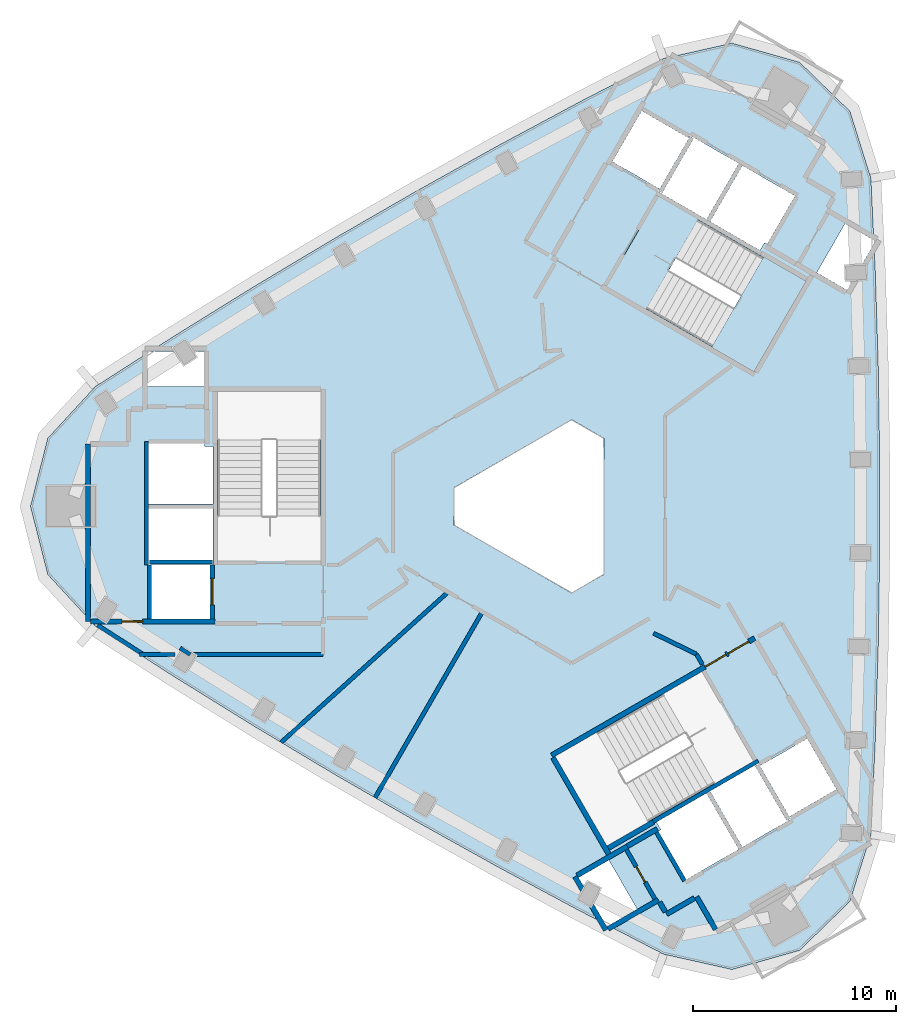
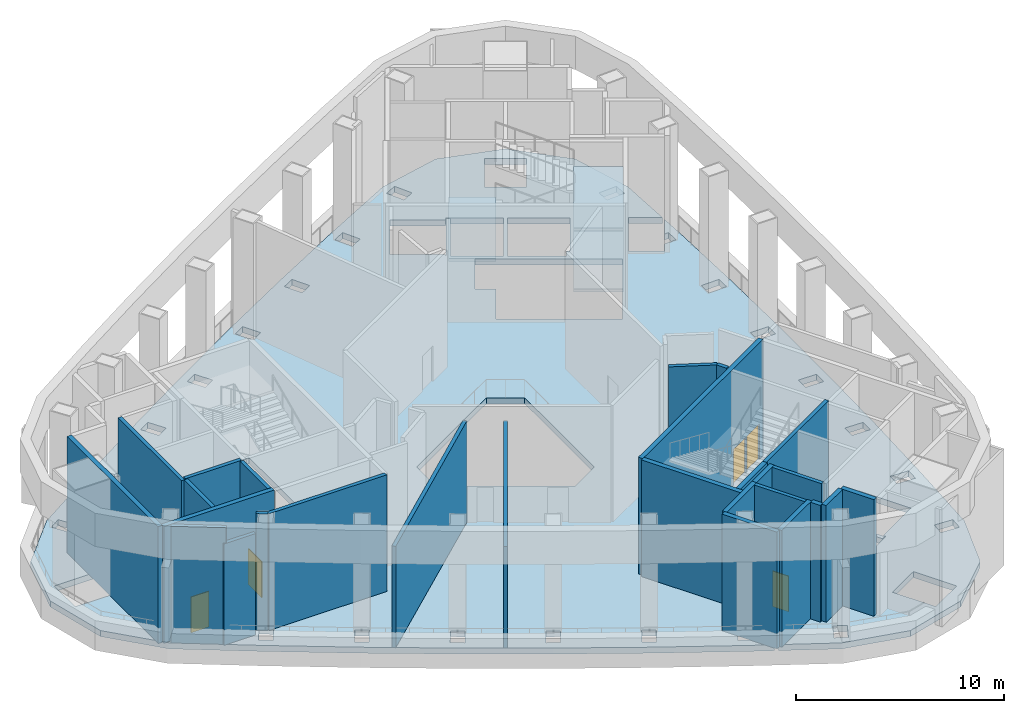
# One storey, part 2 of 8: 27 walls, 5 doors, 4 slabs, 5 openings, 1 element without a shape of its own.
"""IFC4 building model written with IfcOpenShell, lengths in metres."""

from ifc_helpers import new_model, si_unit, direction, frame, frame_2d, origin, place, context, subcontext, project, spatial, polyline, rectangle, outline, extrude, material, layer, layer_set, type_object, element, fill, aggregate, save


model = new_model("IFC4")

# Units and contexts
model_context = context("Model", 3, precision=1e-05, world=origin(), true_north=direction((0.0, 1.0)))
body_context = subcontext(model_context, "Body", "Model", "MODEL_VIEW")
ifc_project = project(units=[si_unit("LENGTHUNIT", "METRE"), si_unit("AREAUNIT", "SQUARE_METRE"), si_unit("VOLUMEUNIT", "CUBIC_METRE"), si_unit("PLANEANGLEUNIT", "RADIAN"), si_unit("MASSUNIT", "GRAM", prefix="KILO")], contexts=[model_context])

# Site, building, storey
site_placement = place(None, origin())
site = spatial("IfcSite", under=ifc_project, at=site_placement, CompositionType="ELEMENT")
building_placement = place(site_placement, origin())
building = spatial("IfcBuilding", under=site, at=building_placement, Name="Tamra Quay Hotel Tower", CompositionType="ELEMENT")
storey_placement = place(building_placement, frame((0.0, 0.0, 283.800048828125)))
storey = spatial("IfcBuildingStorey", under=building, at=storey_placement, Name="L72", CompositionType="ELEMENT", Elevation=283.800048828125)

# Stair, slabs
ifc_material_1 = material(Name="Exit stair 2200 48 risers 150.0 going 342")
stair_type = type_object("IfcStairType", Name="Exit stair 2200 48 risers 150.0 going 342", PredefinedType="HALF_TURN_STAIR", material=ifc_material_1)
stair_placement = place(storey_placement, origin())
stair = element("IfcStair", 1, at=stair_placement, inside=storey, type_object=stair_type, Name="L72 Exit stair ST1", PredefinedType="HALF_TURN_STAIR")
ifc_material_2 = material(Name="Concrete M70", Category="concrete")
ifc_layer_1 = layer(ifc_material_2, 0.175048828125)
ifc_layer_set_1 = layer_set([ifc_layer_1], Name="Concrete M70 stair landing 180")
slab_type_1 = type_object("IfcSlabType", Name="Concrete M70 stair landing 180", PredefinedType="LANDING", material=ifc_layer_set_1)
slab_1_placement = place(storey_placement, frame((0.0, 0.0, 1.625)))
slab_1 = element("IfcSlab", 2, at=slab_1_placement, type_object=slab_type_1, Name="ST1 landing 1", PredefinedType="LANDING", context=body_context, shape_type="SweptSolid", body=[
    extrude(outline(polyline([(8.291015625, 7.836669921875), (10.385009765625, 6.627685546875), (12.964599609375, 11.095458984375), (10.87060546875, 12.304443359375), (8.291015625, 7.836669921875)])), origin(), (0.0, 0.0, 1.0), 0.175048828125),
])
slab_2_placement = place(storey_placement, frame((0.0, 0.0, 3.425048828125)))
slab_2 = element("IfcSlab", 3, at=slab_2_placement, type_object=slab_type_1, Name="ST1 landing 2", PredefinedType="LANDING", context=body_context, shape_type="SweptSolid", body=[
    extrude(outline(polyline([(3.101806640625, 10.832763671875), (5.067626953125, 9.69775390625), (7.647216796875, 14.16552734375), (5.681396484375, 15.300537109375), (3.101806640625, 10.832763671875)])), origin(), (0.0, 0.0, 1.0), 0.1748046875),
])
slab_3_placement = place(storey_placement, frame((0.0, 0.0, 5.224853515625)))
slab_3 = element("IfcSlab", 4, at=slab_3_placement, type_object=slab_type_1, Name="ST1 landing 3", PredefinedType="LANDING", context=body_context, shape_type="SweptSolid", body=[
    extrude(outline(polyline([(8.291015625, 7.836669921875), (10.385009765625, 6.627685546875), (12.964599609375, 11.095458984375), (10.87060546875, 12.304443359375), (8.291015625, 7.836669921875)])), origin(), (0.0, 0.0, 1.0), 0.175048828125),
])
aggregate(stair, [slab_1, slab_2, slab_3])

# Slab
ifc_material_3 = material(Name="Concrete M60", Category="concrete")
ifc_layer_2 = layer(ifc_material_3, 0.35009765625)
ifc_layer_set_2 = layer_set([ifc_layer_2], Name="FLOOR SLAB PT 350")
slab_type_2 = type_object("IfcSlabType", Name="FLOOR SLAB PT 350", PredefinedType="FLOOR", material=ifc_layer_set_2)
slab_4_placement = place(storey_placement, frame((0.0, 0.0, -0.35009765625)))
element("IfcSlab", 5, at=slab_4_placement, inside=storey, type_object=slab_type_2, Name="SLAB-L72", PredefinedType="FLOOR", context=body_context, shape_type="SweptSolid", body=[
    extrude(outline(polyline([(-18.18798828125, 8.398681640625), (-14.259765625, 10.83349609375), (-10.29345703125, 13.206787109375), (-6.29052734375, 15.517822265625), (-2.252197265625, 17.765869140625), (1.820556640625, 19.95068359375), (5.92724609375, 22.07177734375), (9.305419921875, 22.8291015625), (12.63671875, 21.887451171875), (15.117919921875, 19.473388671875), (16.151123046875, 16.169189453125), (16.294189453125, 13.11767578125), (14.876220703125, 13.936279296875), (13.481201171875, 11.52001953125), (14.9794921875, 10.655029296875), (15.2705078125, 11.1591796875), (15.931396484375, 11.184814453125), (15.904296875, 11.88427734375), (15.68408203125, 11.875732421875), (16.302001953125, 12.946044921875), (16.367431640625, 11.552001953125), (16.511962890625, 6.9326171875), (16.583984375, 2.31103515625), (16.583984375, -2.31103515625), (16.511962890625, -6.9326171875), (16.367431640625, -11.552001953125), (16.151123046875, -16.169189453125), (15.117919921875, -19.473388671875), (12.63671875, -21.887451171875), (9.305419921875, -22.8291015625), (5.92724609375, -22.07177734375), (3.213134765625, -20.669921875), (4.631103515625, -19.851318359375), (3.236083984375, -17.43505859375), (1.73779296875, -18.300048828125), (2.02880859375, -18.80419921875), (1.720703125, -19.389404296875), (2.33984375, -19.715576171875), (2.442626953125, -19.520751953125), (3.060546875, -20.591064453125), (1.820556640625, -19.95068359375), (-2.252197265625, -17.765869140625), (-6.29052734375, -15.517822265625), (-10.29345703125, -13.206787109375), (-14.259765625, -10.83349609375), (-18.18798828125, -8.398681640625), (-22.078369140625, -5.902587890625), (-24.42333984375, -3.35595703125), (-25.2734375, 0.0), (-24.42333984375, 3.35595703125), (-22.078369140625, 5.902587890625), (-19.50732421875, 7.55224609375), (-19.50732421875, 5.9150390625), (-16.71728515625, 5.9150390625), (-16.71728515625, 7.64501953125), (-17.29931640625, 7.64501953125), (-17.652099609375, 8.20458984375), (-18.244140625, 7.831298828125), (-18.126708984375, 7.64501953125), (-19.36279296875, 7.64501953125), (-18.18798828125, 8.398681640625)]), holes=[polyline([(-10.3671875, -12.641357421875), (-9.763671875, -12.99609375), (-9.2568359375, -12.13427734375), (-9.8603515625, -11.779296875), (-10.3671875, -12.641357421875)]), polyline([(-14.324462890625, -10.26708984375), (-13.7265625, -10.63134765625), (-13.206298828125, -9.77734375), (-13.803955078125, -9.4130859375), (-14.324462890625, -10.26708984375)]), polyline([(-18.244140625, -7.831298828125), (-17.652099609375, -8.20458984375), (-17.118896484375, -7.358642578125), (-17.7109375, -6.9853515625), (-18.244140625, -7.831298828125)]), polyline([(-21.57861328125, -4.497314453125), (-22.125244140625, -5.33447265625), (-21.539306640625, -5.71728515625), (-20.992431640625, -4.880126953125), (-21.57861328125, -4.497314453125)]), polyline([(-16.3173828125, -2.85498046875), (-19.4072265625, -2.85498046875), (-19.4072265625, -2.89306640625), (-19.307373046875, -2.89306640625), (-19.307373046875, -5.544921875), (-16.417236328125, -5.544921875), (-16.417236328125, -2.89306640625), (-16.3173828125, -2.89306640625), (-16.3173828125, -2.85498046875)]), polyline([(-19.417236328125, -2.64501953125), (-16.307373046875, -2.64501953125), (-16.307373046875, -2.89306640625), (-16.26708984375, -2.89306640625), (-16.26708984375, -0.10498046875), (-19.45751953125, -0.10498046875), (-19.45751953125, -2.89306640625), (-19.417236328125, -2.89306640625), (-19.417236328125, -2.64501953125)]), polyline([(-24.473388671875, 1.0), (-24.473388671875, -1.0), (-22.073486328125, -1.0), (-22.073486328125, 1.0), (-24.473388671875, 1.0)]), polyline([(-16.707275390625, 2.945068359375), (-16.707275390625, 3.09521484375), (-19.45751953125, 3.09521484375), (-19.45751953125, 0.10498046875), (-16.26708984375, 0.10498046875), (-16.26708984375, 2.945068359375), (-16.707275390625, 2.945068359375)]), polyline([(-10.9873046875, 5.625), (-16.036376953125, 5.625), (-16.036376953125, -1.455078125), (-13.516845703125, -1.455078125), (-13.516845703125, -0.455078125), (-10.9873046875, -0.455078125), (-10.9873046875, 5.625)]), polyline([(-20.992431640625, 4.880126953125), (-21.539306640625, 5.71728515625), (-22.125244140625, 5.33447265625), (-21.57861328125, 4.497314453125), (-20.992431640625, 4.880126953125)]), polyline([(-13.7265625, 10.63134765625), (-14.324462890625, 10.26708984375), (-13.803955078125, 9.4130859375), (-13.206298828125, 9.77734375), (-13.7265625, 10.63134765625)]), polyline([(-9.2568359375, 12.13427734375), (-9.763671875, 12.99609375), (-10.3671875, 12.641357421875), (-9.8603515625, 11.779296875), (-9.2568359375, 12.13427734375)]), polyline([(-5.271240234375, 14.428955078125), (-5.764404296875, 15.298828125), (-6.373291015625, 14.95361328125), (-5.880126953125, 14.083740234375), (-5.271240234375, 14.428955078125)]), polyline([(5.818359375, -21.51220703125), (6.44287109375, -21.828369140625), (6.89453125, -20.936279296875), (6.27001953125, -20.6201171875), (5.818359375, -21.51220703125)]), polyline([(-2.34375, -17.203369140625), (-1.7294921875, -17.538818359375), (-1.25, -16.6611328125), (-1.864501953125, -16.32568359375), (-2.34375, -17.203369140625)]), polyline([(5.5830078125, -15.560302734375), (5.80322265625, -15.94140625), (5.673095703125, -16.0166015625), (7.04833984375, -18.398193359375), (9.6376953125, -16.903076171875), (8.042724609375, -14.14013671875), (5.5830078125, -15.560302734375)]), polyline([(12.214111328125, -15.369384765625), (11.999267578125, -15.493408203125), (10.4443359375, -12.800048828125), (10.6591796875, -12.676025390625), (10.63916015625, -12.64111328125), (8.224609375, -14.03515625), (9.819580078125, -16.798095703125), (12.234130859375, -15.404052734375), (12.214111328125, -15.369384765625)]), polyline([(-6.373291015625, -14.95361328125), (-5.764404296875, -15.298828125), (-5.271240234375, -14.428955078125), (-5.880126953125, -14.083740234375), (-6.373291015625, -14.95361328125)]), polyline([(3.146728515625, -16.7001953125), (9.2783203125, -13.160400390625), (8.0185546875, -10.978271484375), (7.152587890625, -11.478271484375), (5.8876953125, -9.28759765625), (0.622314453125, -12.32763671875), (3.146728515625, -16.7001953125)]), polyline([(-4.39990234375, 0.923828125), (-4.39990234375, -0.923828125), (1.39990234375, -4.2724609375), (3.0, -3.3486328125), (3.0, 3.3486328125), (1.39990234375, 4.2724609375), (-4.39990234375, 0.923828125)]), polyline([(10.364990234375, 6.702880859375), (12.889404296875, 11.075439453125), (6.758056640625, 14.615478515625), (5.498291015625, 12.433349609375), (6.3642578125, 11.933349609375), (5.099609375, 9.742919921875), (10.364990234375, 6.702880859375)]), polyline([(7.203125, 18.262451171875), (7.41796875, 18.138427734375), (5.863037109375, 15.445068359375), (5.648193359375, 15.569091796875), (5.628173828125, 15.5341796875), (8.04248046875, 14.140380859375), (9.6376953125, 16.903076171875), (7.22314453125, 18.297119140625), (7.203125, 18.262451171875)]), polyline([(-1.7294921875, 17.538818359375), (-2.34375, 17.203369140625), (-1.864501953125, 16.32568359375), (-1.25, 16.6611328125), (-1.7294921875, 17.538818359375)]), polyline([(5.68603515625, 15.55859375), (7.231201171875, 18.234619140625), (7.1982421875, 18.253662109375), (7.148193359375, 18.1669921875), (4.8515625, 19.4931640625), (3.406494140625, 16.990234375), (5.703125, 15.664306640625), (5.6533203125, 15.57763671875), (5.68603515625, 15.55859375)]), polyline([(2.805908203125, 18.830810546875), (2.33984375, 19.715576171875), (1.720703125, 19.389404296875), (2.186767578125, 18.504638671875), (2.805908203125, 18.830810546875)]), polyline([(6.44287109375, 21.828369140625), (5.818359375, 21.51220703125), (6.27001953125, 20.6201171875), (6.89453125, 20.936279296875), (6.44287109375, 21.828369140625)]), polyline([(10.170654296875, -19.6162109375), (11.37060546875, -21.694580078125), (13.102783203125, -20.694580078125), (11.902587890625, -18.6162109375), (10.170654296875, -19.6162109375)]), polyline([(14.68408203125, -16.43896484375), (15.6826171875, -16.493896484375), (15.720947265625, -15.794921875), (14.722412109375, -15.739990234375), (14.68408203125, -16.43896484375)]), polyline([(12.176025390625, -15.379638671875), (12.208984375, -15.360595703125), (12.1591796875, -15.274169921875), (14.455810546875, -13.947998046875), (13.0107421875, -11.4453125), (10.714111328125, -12.771240234375), (10.6640625, -12.6845703125), (10.631103515625, -12.70361328125), (12.176025390625, -15.379638671875)]), polyline([(15.904296875, -11.88427734375), (15.931396484375, -11.184814453125), (14.93212890625, -11.14599609375), (14.905029296875, -11.845703125), (15.904296875, -11.88427734375)]), polyline([(16.0537109375, -7.271728515625), (16.0703125, -6.572021484375), (15.070556640625, -6.548095703125), (15.053955078125, -7.247802734375), (16.0537109375, -7.271728515625)]), polyline([(15.13134765625, -2.6494140625), (16.13134765625, -2.657470703125), (16.136962890625, -1.95751953125), (15.136962890625, -1.94970703125), (15.13134765625, -2.6494140625)]), polyline([(15.136962890625, 1.94970703125), (16.136962890625, 1.95751953125), (16.13134765625, 2.657470703125), (15.13134765625, 2.6494140625), (15.136962890625, 1.94970703125)]), polyline([(16.0703125, 6.572021484375), (16.0537109375, 7.271728515625), (15.053955078125, 7.247802734375), (15.070556640625, 6.548095703125), (16.0703125, 6.572021484375)]), polyline([(10.904052734375, 12.996337890625), (11.0341796875, 12.92138671875), (12.4091796875, 15.302978515625), (9.819580078125, 16.798095703125), (8.224365234375, 14.035400390625), (10.68408203125, 12.615234375), (10.904052734375, 12.996337890625)]), polyline([(14.722412109375, 15.739990234375), (15.720947265625, 15.794921875), (15.6826171875, 16.493896484375), (14.68408203125, 16.43896484375), (14.722412109375, 15.739990234375)]), polyline([(11.902587890625, 18.6162109375), (13.102783203125, 20.694580078125), (11.37060546875, 21.694580078125), (10.170654296875, 19.6162109375), (11.902587890625, 18.6162109375)])]), origin(), (0.0, 0.0, 1.0), 0.35009765625),
])

# Walls
ifc_layer_3 = layer(ifc_material_2, 0.199951171875)
ifc_layer_set_3 = layer_set([ifc_layer_3], Name="Concrete M70 core wall 200")
wall_type_1 = type_object("IfcWallType", Name="Concrete M70 core wall 200", PredefinedType="SHEAR", material=ifc_layer_set_3)
wall_1_placement = place(storey_placement, frame((-19.5625, -2.900146484375, 0.0), z_axis=(0.0, 0.0, 1.0), x_axis=(0.0, 1.0, 0.0)))
element("IfcWall", 6, at=wall_1_placement, inside=storey, type_object=wall_type_1, Name="CW2", PredefinedType="SHEAR", context=body_context, shape_type="SweptSolid", body=[
    extrude(rectangle(XDim=6.100341796875, YDim=0.199951171875, at=frame_2d((3.05029296875, 0.0))), origin(), (0.0, 0.0, 1.0), 6.849853515625),
])
wall_2_placement = place(storey_placement, frame((-19.412353515625, -2.75, 0.0), z_axis=(0.0, 0.0, 1.0), x_axis=(1.0, 0.0, 0.0)))
element("IfcWall", 7, at=wall_2_placement, inside=storey, type_object=wall_type_1, Name="CW2", PredefinedType="SHEAR", context=body_context, shape_type="SweptSolid", body=[
    extrude(rectangle(XDim=3.10009765625, YDim=0.199951171875, at=frame_2d((1.550048828125, 0.0))), origin(), (0.0, 0.0, 1.0), 6.849853515625),
])

# Wall, opening, door
wall_3_placement = place(storey_placement, frame((-16.312255859375, -2.898193359375, 0.0), z_axis=(0.0, 0.0, 1.0), x_axis=(0.0, -1.0, 0.0)))
wall_3 = element("IfcWall", 8, at=wall_3_placement, inside=storey, type_object=wall_type_1, Name="CW2", PredefinedType="SHEAR", context=body_context, shape_type="SweptSolid", body=[
    extrude(rectangle(XDim=2.65087890625, YDim=0.199951171875, at=frame_2d((1.325439453125, 0.0))), origin(), (0.0, 0.0, 1.0), 6.849853515625),
])
opening_1_placement = place(wall_3_placement, frame((0.65185546875, 0.0, 0.0)))
opening_1 = element("IfcOpeningElement", 9, at=opening_1_placement, cuts=wall_3, Name="Opening LD", PredefinedType="OPENING", context=body_context, shape_type="SweptSolid", body=[
    extrude(rectangle(XDim=1.300048828125, YDim=2.10009765625, at=frame_2d((0.64990234375, 1.050048828125))), frame((0.0, 0.10986328125, 0.0), z_axis=(0.0, -1.0, 0.0), x_axis=(1.0, 0.0, 0.0)), (0.0, 0.0, 1.0), 0.219970703125),
])
ifc_material_4 = material(Name="Landing door LD 1300 sliding to right")
door_type_1 = type_object("IfcDoorType", Name="Landing door LD 1300 sliding to right", OperationType="NOTDEFINED", PredefinedType="DOOR", material=ifc_material_4)
door_1_placement = place(opening_1_placement, origin())
door_1 = element("IfcDoor", 10, at=door_1_placement, inside=storey, type_object=door_type_1, Name="LD", OperationType="SLIDING_TO_RIGHT", OverallHeight=2.10009765625, OverallWidth=1.300048828125, PredefinedType="DOOR", context=body_context, shape_type="SweptSolid", body=[
    extrude(rectangle(XDim=1.300048828125, YDim=2.10009765625, at=frame_2d((0.64990234375, 1.050048828125))), frame((0.0, 0.02490234375, 0.0), z_axis=(0.0, -1.0, 0.0), x_axis=(1.0, 0.0, 0.0)), (0.0, 0.0, 1.0), 0.050048828125),
])
fill(opening_1, door_1)

# Walls
wall_4_placement = place(storey_placement, frame((-19.412353515625, -5.549072265625, 0.0), z_axis=(0.0, 0.0, 1.0), x_axis=(0.0, 1.0, 0.0)))
element("IfcWall", 11, at=wall_4_placement, inside=storey, type_object=wall_type_1, Name="CW2", PredefinedType="SHEAR", context=body_context, shape_type="SweptSolid", body=[
    extrude(rectangle(XDim=2.65087890625, YDim=0.199951171875, at=frame_2d((1.325439453125, 0.0))), origin(), (0.0, 0.0, 1.0), 6.849853515625),
])
wall_5_placement = place(storey_placement, frame((5.4189453125, -15.533935546875, 0.0), z_axis=(0.0, 0.0, 1.0), x_axis=(0.866029065029, 0.499993658486, 0.0)))
element("IfcWall", 12, at=wall_5_placement, inside=storey, type_object=wall_type_1, Name="CW2", PredefinedType="SHEAR", context=body_context, shape_type="SweptSolid", body=[
    extrude(rectangle(XDim=5.97412109375, YDim=0.199951171875, at=frame_2d((2.987060546875, 0.0))), origin(), (0.0, 0.0, 1.0), 6.849853515625),
])

# Wall, opening, door
wall_6_placement = place(storey_placement, frame((5.50341796875, -19.352294921875, 0.0), z_axis=(0.0, 0.0, 1.0), x_axis=(-0.499986818241, 0.866033014143, 0.0)))
wall_6 = element("IfcWall", 13, at=wall_6_placement, inside=storey, type_object=wall_type_1, Name="CW2", PredefinedType="SHEAR", context=body_context, shape_type="SweptSolid", body=[
    extrude(rectangle(XDim=2.7978515625, YDim=0.199951171875, at=frame_2d((1.39892578125, 0.0))), origin(), (0.0, 0.0, 1.0), 6.849853515625),
])
opening_2_placement = place(wall_6_placement, frame((0.948974609375, 0.0, 0.0)))
opening_2 = element("IfcOpeningElement", 14, at=opening_2_placement, cuts=wall_6, Name="Opening D1", PredefinedType="OPENING", context=body_context, shape_type="SweptSolid", body=[
    extrude(rectangle(XDim=0.89990234375, YDim=2.10009765625, at=frame_2d((0.449951171875, 1.050048828125))), frame((0.0, 0.10986328125, 0.0), z_axis=(0.0, -1.0, 0.0), x_axis=(1.0, 0.0, 0.0)), (0.0, 0.0, 1.0), 0.219970703125),
])
ifc_material_5 = material(Name="Core door D1 900x2100 LH")
door_type_2 = type_object("IfcDoorType", Name="Core door D1 900x2100 LH", OperationType="NOTDEFINED", PredefinedType="DOOR", material=ifc_material_5)
door_2_placement = place(opening_2_placement, origin())
door_2 = element("IfcDoor", 15, at=door_2_placement, inside=storey, type_object=door_type_2, Name="D1", OperationType="SINGLE_SWING_LEFT", OverallHeight=2.10009765625, OverallWidth=0.89990234375, PredefinedType="DOOR", context=body_context, shape_type="SweptSolid", body=[
    extrude(rectangle(XDim=0.89990234375, YDim=2.10009765625, at=frame_2d((0.449951171875, 1.050048828125))), frame((0.0, 0.02490234375, 0.0), z_axis=(0.0, -1.0, 0.0), x_axis=(1.0, 0.0, 0.0)), (0.0, 0.0, 1.0), 0.050048828125),
])
fill(opening_2, door_2)

# Walls
wall_7_placement = place(storey_placement, frame((6.959716796875, -18.455078125, 0.0), z_axis=(0.0, 0.0, 1.0), x_axis=(-0.499926705758, 0.866067716099, 0.0)))
element("IfcWall", 16, at=wall_7_placement, inside=storey, type_object=wall_type_1, Name="CW2", PredefinedType="SHEAR", context=body_context, shape_type="SweptSolid", body=[
    extrude(rectangle(XDim=2.75927734375, YDim=0.199951171875, at=frame_2d((1.379638671875, 0.0))), origin(), (0.0, 0.0, 1.0), 6.849853515625),
])
ifc_layer_4 = layer(ifc_material_2, 0.25)
ifc_layer_set_4 = layer_set([ifc_layer_4], Name="Concrete M70 core wall 250")
wall_type_2 = type_object("IfcWallType", Name="Concrete M70 core wall 250", PredefinedType="SHEAR", material=ifc_layer_set_4)
wall_8_placement = place(storey_placement, frame((-22.437255859375, -5.675048828125, 0.0), z_axis=(0.0, 0.0, 1.0), x_axis=(0.0, 1.0, 0.0)))
element("IfcWall", 17, at=wall_8_placement, inside=storey, type_object=wall_type_2, Name="CW1", PredefinedType="SHEAR", context=body_context, shape_type="SweptSolid", body=[
    extrude(rectangle(XDim=8.75, YDim=0.25, at=frame_2d((4.375, 0.0))), origin(), (0.0, 0.0, 1.0), 6.849853515625),
])

# Wall, opening, door
wall_9_placement = place(storey_placement, frame((-16.187255859375, -5.675048828125, 0.0), z_axis=(0.0, 0.0, 1.0), x_axis=(-1.0, 0.0, 0.0)))
wall_9 = element("IfcWall", 18, at=wall_9_placement, inside=storey, type_object=wall_type_2, Name="CW1", PredefinedType="SHEAR", context=body_context, shape_type="SweptSolid", body=[
    extrude(rectangle(XDim=6.12451171875, YDim=0.25, at=frame_2d((3.062255859375, 0.0))), origin(), (0.0, 0.0, 1.0), 6.849853515625),
])
opening_3_placement = place(wall_9_placement, frame((3.562744140625, 0.0, 0.0)))
opening_3 = element("IfcOpeningElement", 19, at=opening_3_placement, cuts=wall_9, Name="Opening FD3", PredefinedType="OPENING", context=body_context, shape_type="SweptSolid", body=[
    extrude(rectangle(XDim=1.0, YDim=2.10009765625, at=frame_2d((0.5, 1.050048828125))), frame((0.0, 0.135009765625, 0.0), z_axis=(0.0, -1.0, 0.0), x_axis=(1.0, 0.0, 0.0)), (0.0, 0.0, 1.0), 0.27001953125),
])
ifc_material_6 = material(Name="Core door FD3 1000x2100 LH")
door_type_3 = type_object("IfcDoorType", Name="Core door FD3 1000x2100 LH", OperationType="NOTDEFINED", PredefinedType="DOOR", material=ifc_material_6)
door_3_placement = place(opening_3_placement, origin())
door_3 = element("IfcDoor", 20, at=door_3_placement, inside=storey, type_object=door_type_3, Name="FD3", OperationType="SINGLE_SWING_LEFT", OverallHeight=2.10009765625, OverallWidth=1.0, PredefinedType="DOOR", context=body_context, shape_type="SweptSolid", body=[
    extrude(rectangle(XDim=1.0, YDim=2.10009765625, at=frame_2d((0.5, 1.050048828125))), frame((0.0, 0.02490234375, 0.0), z_axis=(0.0, -1.0, 0.0), x_axis=(1.0, 0.0, 0.0)), (0.0, 0.0, 1.0), 0.050048828125),
])
fill(opening_3, door_3)

# Wall, openings, doors
wall_10_placement = place(storey_placement, frame((0.417236328125, -12.27294921875, 0.0), z_axis=(0.0, 0.0, 1.0), x_axis=(0.866021906294, 0.500006057782, 0.0)))
wall_10 = element("IfcWall", 21, at=wall_10_placement, inside=storey, type_object=wall_type_2, Name="CW1", PredefinedType="SHEAR", context=body_context, shape_type="SweptSolid", body=[
    extrude(rectangle(XDim=11.550048828125, YDim=0.25, at=frame_2d((5.77490234375, 0.0))), origin(), (0.0, 0.0, 1.0), 6.849853515625),
])
opening_4_placement = place(wall_10_placement, frame((10.024658203125, 0.0, 0.0)))
opening_4 = element("IfcOpeningElement", 22, at=opening_4_placement, cuts=wall_10, Name="Opening FD1", PredefinedType="OPENING", context=body_context, shape_type="SweptSolid", body=[
    extrude(rectangle(XDim=1.199951171875, YDim=2.10009765625, at=frame_2d((0.60009765625, 1.050048828125))), frame((0.0, 0.135009765625, 0.0), z_axis=(0.0, -1.0, 0.0), x_axis=(1.0, 0.0, 0.0)), (0.0, 0.0, 1.0), 0.27001953125),
])
opening_5_placement = place(wall_10_placement, frame((8.724609375, 0.0, 0.0)))
opening_5 = element("IfcOpeningElement", 23, at=opening_5_placement, cuts=wall_10, Name="Opening FD1", PredefinedType="OPENING", context=body_context, shape_type="SweptSolid", body=[
    extrude(rectangle(XDim=1.199951171875, YDim=2.10009765625, at=frame_2d((0.60009765625, 1.050048828125))), frame((0.0, 0.135009765625, 0.0), z_axis=(0.0, -1.0, 0.0), x_axis=(1.0, 0.0, 0.0)), (0.0, 0.0, 1.0), 0.27001953125),
])
ifc_material_7 = material(Name="Core door FD1 1200x2100 LH")
door_type_4 = type_object("IfcDoorType", Name="Core door FD1 1200x2100 LH", OperationType="NOTDEFINED", PredefinedType="DOOR", material=ifc_material_7)
door_4_placement = place(opening_4_placement, origin())
door_4 = element("IfcDoor", 24, at=door_4_placement, inside=storey, type_object=door_type_4, Name="FD1", OperationType="SINGLE_SWING_LEFT", OverallHeight=2.10009765625, OverallWidth=1.199951171875, PredefinedType="DOOR", context=body_context, shape_type="SweptSolid", body=[
    extrude(rectangle(XDim=1.199951171875, YDim=2.10009765625, at=frame_2d((0.60009765625, 1.050048828125))), frame((0.0, 0.02490234375, 0.0), z_axis=(0.0, -1.0, 0.0), x_axis=(1.0, 0.0, 0.0)), (0.0, 0.0, 1.0), 0.050048828125),
])
fill(opening_4, door_4)
ifc_material_8 = material(Name="Core door FD1 1200x2100 RH")
door_type_5 = type_object("IfcDoorType", Name="Core door FD1 1200x2100 RH", OperationType="NOTDEFINED", PredefinedType="DOOR", material=ifc_material_8)
door_5_placement = place(opening_5_placement, origin())
door_5 = element("IfcDoor", 25, at=door_5_placement, inside=storey, type_object=door_type_5, Name="FD1", OperationType="SINGLE_SWING_RIGHT", OverallHeight=2.10009765625, OverallWidth=1.199951171875, PredefinedType="DOOR", context=body_context, shape_type="SweptSolid", body=[
    extrude(rectangle(XDim=1.199951171875, YDim=2.10009765625, at=frame_2d((0.60009765625, 1.050048828125))), frame((0.0, 0.02490234375, 0.0), z_axis=(0.0, -1.0, 0.0), x_axis=(1.0, 0.0, 0.0)), (0.0, 0.0, 1.0), 0.050048828125),
])
fill(opening_5, door_5)

# Walls
wall_11_placement = place(storey_placement, frame((3.23486328125, -17.15283203125, 0.0), z_axis=(0.0, 0.0, 1.0), x_axis=(-0.500008851346, 0.866020293397, 0.0)))
element("IfcWall", 26, at=wall_11_placement, inside=storey, type_object=wall_type_2, Name="CW1", PredefinedType="SHEAR", context=body_context, shape_type="SweptSolid", body=[
    extrude(rectangle(XDim=5.509765625, YDim=0.25, at=frame_2d((2.7548828125, 0.0))), origin(), (0.0, 0.0, 1.0), 6.849853515625),
])
wall_12_placement = place(storey_placement, frame((3.085205078125, -20.893798828125, 0.0), z_axis=(0.0, 0.0, 1.0), x_axis=(-0.499978833458, 0.866037623948, 0.0)))
element("IfcWall", 27, at=wall_12_placement, inside=storey, type_object=wall_type_2, Name="CW1", PredefinedType="SHEAR", context=body_context, shape_type="SweptSolid", body=[
    extrude(rectangle(XDim=3.050048828125, YDim=0.25, at=frame_2d((1.52490234375, 0.0))), origin(), (0.0, 0.0, 1.0), 6.849853515625),
])
wall_13_placement = place(storey_placement, frame((1.6689453125, -18.189697265625, 0.0), z_axis=(0.0, 0.0, 1.0), x_axis=(0.866042235819, 0.499970844928, 0.0)))
element("IfcWall", 28, at=wall_13_placement, inside=storey, type_object=wall_type_2, Name="CW1", PredefinedType="SHEAR", context=body_context, shape_type="SweptSolid", body=[
    extrude(rectangle(XDim=2.864501953125, YDim=0.25, at=frame_2d((1.43212890625, 0.0))), origin(), (0.0, 0.0, 1.0), 6.849853515625),
])
wall_14_placement = place(storey_placement, frame((5.6748046875, -19.39892578125, 0.0), z_axis=(0.0, 0.0, 1.0), x_axis=(-0.866026637627, -0.499997862916, 0.0)))
element("IfcWall", 29, at=wall_14_placement, inside=storey, type_object=wall_type_2, Name="CW1", PredefinedType="SHEAR", context=body_context, shape_type="SweptSolid", body=[
    extrude(rectangle(XDim=2.86474609375, YDim=0.25, at=frame_2d((1.432373046875, 0.0))), origin(), (0.0, 0.0, 1.0), 6.849853515625),
])
wall_15_placement = place(storey_placement, frame((5.4306640625, -15.55615234375, 0.0), z_axis=(0.0, 0.0, 1.0), x_axis=(-0.866022940537, -0.500004266446, 0.0)))
element("IfcWall", 30, at=wall_15_placement, inside=storey, type_object=wall_type_2, Name="CW1", PredefinedType="SHEAR", context=body_context, shape_type="SweptSolid", body=[
    extrude(rectangle(XDim=2.57470703125, YDim=0.25, at=frame_2d((1.287353515625, 0.0))), origin(), (0.0, 0.0, 1.0), 6.849853515625),
])
wall_16_placement = place(storey_placement, frame((8.492919921875, -20.860107421875, 0.0), z_axis=(0.0, 0.0, 1.0), x_axis=(-0.500039802285, 0.866002422705, 0.0)))
element("IfcWall", 31, at=wall_16_placement, inside=storey, type_object=wall_type_2, Name="CW1", PredefinedType="SHEAR", context=body_context, shape_type="SweptSolid", body=[
    extrude(rectangle(XDim=1.864501953125, YDim=0.25, at=frame_2d((0.93212890625, 0.0))), origin(), (0.0, 0.0, 1.0), 6.849853515625),
])
wall_17_placement = place(storey_placement, frame((4.144775390625, -16.748779296875, 0.0), z_axis=(0.0, 0.0, 1.0), x_axis=(0.866038183914, 0.499977863513, 0.0)))
element("IfcWall", 32, at=wall_17_placement, inside=storey, type_object=wall_type_2, Name="CW1", PredefinedType="SHEAR", context=body_context, shape_type="SweptSolid", body=[
    extrude(rectangle(XDim=1.7099609375, YDim=0.25, at=frame_2d((0.85498046875, 0.0))), origin(), (0.0, 0.0, 1.0), 6.849853515625),
])
wall_18_placement = place(storey_placement, frame((7.451904296875, -19.30810546875, 0.0), z_axis=(0.0, 0.0, 1.0), x_axis=(-0.866044474677, -0.49996696679, 0.0)))
element("IfcWall", 33, at=wall_18_placement, inside=storey, type_object=wall_type_2, Name="CW1", PredefinedType="SHEAR", context=body_context, shape_type="SweptSolid", body=[
    extrude(rectangle(XDim=1.58447265625, YDim=0.25, at=frame_2d((0.792236328125, 0.0))), origin(), (0.0, 0.0, 1.0), 6.849853515625),
])
wall_19_placement = place(storey_placement, frame((6.01708984375, -19.99169921875, 0.0), z_axis=(0.0, 0.0, 1.0), x_axis=(-0.500364886717, 0.865814633822, 0.0)))
element("IfcWall", 34, at=wall_19_placement, inside=storey, type_object=wall_type_2, Name="CW1", PredefinedType="SHEAR", context=body_context, shape_type="SweptSolid", body=[
    extrude(rectangle(XDim=0.55908203125, YDim=0.25, at=frame_2d((0.279541015625, 0.0))), origin(), (0.0, 0.0, 1.0), 6.849853515625),
])
ifc_material_9 = material(Name="Partition corridor wall")
ifc_layer_5 = layer(ifc_material_9, 0.199951171875)
ifc_layer_set_5 = layer_set([ifc_layer_5], Name="Partition corridor wall")
wall_type_3 = type_object("IfcWallType", Name="Partition corridor wall", PredefinedType="PARTITIONING", material=ifc_layer_set_5)
wall_20_placement = place(storey_placement, frame((-21.9599609375, -5.860107421875, 0.0), z_axis=(0.0, 0.0, 1.0), x_axis=(0.841722340019, -0.539910642896, 0.0)))
element("IfcWall", 35, at=wall_20_placement, inside=storey, type_object=wall_type_3, Name="W-C", PredefinedType="PARTITIONING", context=body_context, shape_type="SweptSolid", body=[
    extrude(rectangle(XDim=2.6669921875, YDim=0.199951171875, at=frame_2d((1.33349609375, 0.0))), origin(), (0.0, 0.0, 1.0), 6.849853515625),
])
wall_21_placement = place(storey_placement, frame((-19.8955078125, -7.300048828125, 0.0), z_axis=(0.0, 0.0, 1.0), x_axis=(1.0, 0.0, 0.0)))
element("IfcWall", 36, at=wall_21_placement, inside=storey, type_object=wall_type_3, Name="W-C", PredefinedType="PARTITIONING", context=body_context, shape_type="SweptSolid", body=[
    extrude(rectangle(XDim=1.74951171875, YDim=0.199951171875, at=frame_2d((0.874755859375, 0.0))), origin(), (0.0, 0.0, 1.0), 5.949951171875),
])
wall_22_placement = place(storey_placement, frame((-17.89111328125, -6.989990234375, 0.0), z_axis=(0.0, 0.0, 1.0), x_axis=(0.846106660275, -0.533013620312, 0.0)))
element("IfcWall", 37, at=wall_22_placement, inside=storey, type_object=wall_type_3, Name="W-C", PredefinedType="PARTITIONING", context=body_context, shape_type="SweptSolid", body=[
    extrude(rectangle(XDim=0.581787109375, YDim=0.199951171875, at=frame_2d((0.291015625, 0.0))), origin(), (0.0, 0.0, 1.0), 6.849853515625),
])
wall_23_placement = place(storey_placement, frame((-17.39892578125, -7.300048828125, 0.0), z_axis=(0.0, 0.0, 1.0), x_axis=(1.0, 0.0, 0.0)))
element("IfcWall", 38, at=wall_23_placement, inside=storey, type_object=wall_type_3, Name="W-C", PredefinedType="PARTITIONING", context=body_context, shape_type="SweptSolid", body=[
    extrude(rectangle(XDim=6.536865234375, YDim=0.199951171875, at=frame_2d((3.2685546875, 0.0))), origin(), (0.0, 0.0, 1.0), 6.849853515625),
])
wall_24_placement = place(storey_placement, frame((5.43896484375, -6.2548828125, 0.0), z_axis=(0.0, 0.0, 1.0), x_axis=(0.899432970097, -0.437058728665, 0.0)))
element("IfcWall", 39, at=wall_24_placement, inside=storey, type_object=wall_type_3, Name="W-C", PredefinedType="PARTITIONING", context=body_context, shape_type="SweptSolid", body=[
    extrude(rectangle(XDim=2.333740234375, YDim=0.199951171875, at=frame_2d((1.1669921875, 0.0))), origin(), (0.0, 0.0, 1.0), 6.849853515625),
])
wall_25_placement = place(storey_placement, frame((7.55908203125, -7.297119140625, 0.0), z_axis=(0.0, 0.0, 1.0), x_axis=(0.500740595022, -0.86559739862, 0.0)))
element("IfcWall", 40, at=wall_25_placement, inside=storey, type_object=wall_type_3, Name="W-C", PredefinedType="PARTITIONING", context=body_context, shape_type="SweptSolid", body=[
    extrude(rectangle(XDim=0.553466796875, YDim=0.199951171875, at=frame_2d((0.27685546875, 0.0))), origin(), (0.0, 0.0, 1.0), 6.849853515625),
])
ifc_material_10 = material(Name="Partition party wall")
ifc_layer_6 = layer(ifc_material_10, 0.199951171875)
ifc_layer_set_6 = layer_set([ifc_layer_6], Name="Partition party wall")
wall_type_4 = type_object("IfcWallType", Name="Partition party wall", PredefinedType="PARTITIONING", material=ifc_layer_set_6)
wall_26_placement = place(storey_placement, frame((-12.91748046875, -11.631103515625, 0.0), z_axis=(0.0, 0.0, 1.0), x_axis=(0.743160324176, 0.669113392909, 0.0)))
element("IfcWall", 41, at=wall_26_placement, inside=storey, type_object=wall_type_4, Name="W-P", PredefinedType="PARTITIONING", context=body_context, shape_type="SweptSolid", body=[
    extrude(rectangle(XDim=11.068359375, YDim=0.199951171875, at=frame_2d((5.5341796875, 0.0))), origin(), (0.0, 0.0, 1.0), 5.949951171875),
])
wall_27_placement = place(storey_placement, frame((-8.289306640625, -14.358154296875, 0.0), z_axis=(0.0, 0.0, 1.0), x_axis=(0.499979535923, 0.866037218403, 0.0)))
element("IfcWall", 42, at=wall_27_placement, inside=storey, type_object=wall_type_4, Name="W-P", PredefinedType="PARTITIONING", context=body_context, shape_type="SweptSolid", body=[
    extrude(rectangle(XDim=10.5771484375, YDim=0.199951171875, at=frame_2d((5.28857421875, 0.0))), origin(), (0.0, 0.0, 1.0), 5.949951171875),
])

save(model, "model.ifc")
